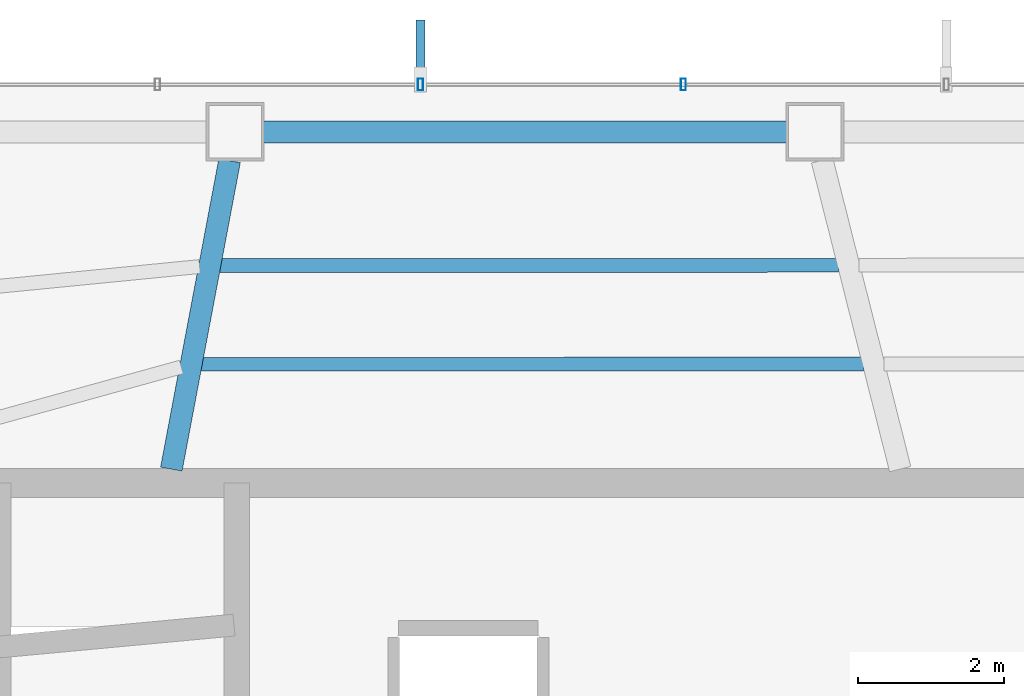
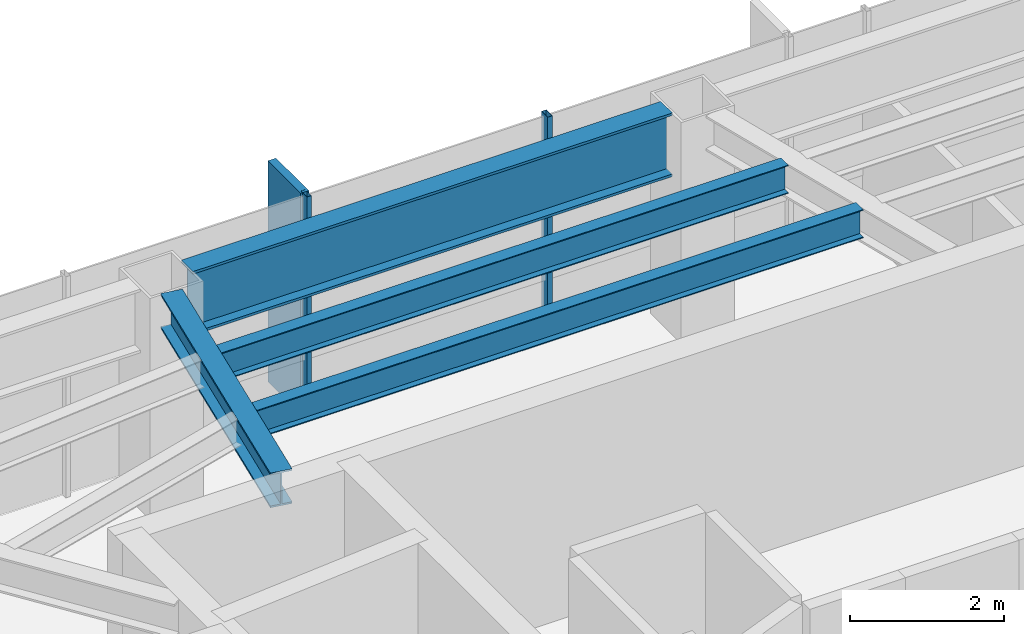
# One storey, part 13 of 28: 4 beams, 3 members, 1 element without a shape of its own.
"""IFC4 building model written with IfcOpenShell, lengths in metres."""

from ifc_helpers import new_model, si_unit, direction, frame, origin, origin_2d, place, context, subcontext, project, spatial, rectangle, hollow_rectangle, i_section, extrude, material, layer, layer_set, material_profile, profile_set, type_object, element, aggregate, save


model = new_model("IFC4")

# Units and contexts
model_context = context("Model", 3, precision=1e-05, world=origin(), true_north=direction((0.0, 1.0)))
body_context = subcontext(model_context, "Body", "Model", "MODEL_VIEW")
ifc_project = project(units=[si_unit("LENGTHUNIT", "METRE"), si_unit("AREAUNIT", "SQUARE_METRE"), si_unit("VOLUMEUNIT", "CUBIC_METRE"), si_unit("PLANEANGLEUNIT", "RADIAN"), si_unit("MASSUNIT", "GRAM", prefix="KILO")], contexts=[model_context])

# Site, building, storey
site_placement = place(None, origin())
site = spatial("IfcSite", under=ifc_project, at=site_placement, CompositionType="ELEMENT")
building_placement = place(site_placement, origin())
building = spatial("IfcBuilding", under=site, at=building_placement, Name="Zarrinselat Tower", CompositionType="ELEMENT")
storey_placement = place(building_placement, frame((0.0, 0.0, 157.080078125)))
storey = spatial("IfcBuildingStorey", under=building, at=storey_placement, Name="L38", CompositionType="ELEMENT", Elevation=157.080078125)

# Beams
ifc_material_1 = material(Name="Steel S355J2", Category="steel")
ifc_material_profile_1 = material_profile(ifc_material_1, i_section(OverallWidth=0.300048828125, OverallDepth=0.550048828125, WebThickness=0.014892578125, FlangeThickness=0.029052734375, at=origin_2d()), Name="HEB 550")
ifc_profile_set_1 = profile_set([ifc_material_profile_1], Name="Steel S355J2")
beam_type_1 = type_object("IfcBeamType", Name="BM-HEB550", PredefinedType="BEAM", material=ifc_profile_set_1)
beam_1_placement = place(storey_placement, frame((31.0, 43.639892578125, 3.224853515625), z_axis=(0.185606166559, 0.982624216542, 0.0), x_axis=(-0.982624216542, 0.185606166559, 0.0)))
element("IfcBeam", 1, at=beam_1_placement, inside=storey, type_object=beam_type_1, Name="L38 Radial Primary Girder RG04", PredefinedType="BEAM", context=body_context, shape_type="SweptSolid", body=[
    extrude(i_section(OverallWidth=0.300048828125, OverallDepth=0.550048828125, WebThickness=0.014892578125, FlangeThickness=0.029052734375, at=origin_2d()), origin(), (0.0, 0.0, 1.0), 4.306640625),
])
ifc_material_2 = material(Name="Steel S460M", Category="steel")
ifc_material_profile_2 = material_profile(ifc_material_2, i_section(OverallWidth=0.302001953125, OverallDepth=1.008056640625, WebThickness=0.02099609375, FlangeThickness=0.0400390625, at=origin_2d()), Name="HEM 1000")
ifc_profile_set_2 = profile_set([ifc_material_profile_2], Name="Steel S460M")
beam_type_2 = type_object("IfcBeamType", Name="BM-HEM1000", PredefinedType="BEAM", material=ifc_profile_set_2)
beam_2_placement = place(storey_placement, frame((32.261962890625, 48.2666015625, 2.995849609375), z_axis=(1.0, 0.0, 0.0), x_axis=(0.0, 1.0, 0.0)))
element("IfcBeam", 2, at=beam_2_placement, inside=storey, type_object=beam_type_2, Name="L38 Perimeter Spandrel Girder SP03", PredefinedType="BEAM", context=body_context, shape_type="SweptSolid", body=[
    extrude(i_section(OverallWidth=0.302001953125, OverallDepth=1.008056640625, WebThickness=0.02099609375, FlangeThickness=0.0400390625, at=origin_2d()), origin(), (0.0, 0.0, 1.0), 7.18017578125),
])
ifc_material_3 = material(Name="Steel S355J2", Category="steel")
ifc_material_profile_3 = material_profile(ifc_material_3, i_section(OverallWidth=0.18994140625, OverallDepth=0.449951171875, WebThickness=0.009521484375, FlangeThickness=0.0146484375, at=origin_2d()), Name="IPE 450")
ifc_profile_set_3 = profile_set([ifc_material_profile_3], Name="Steel S355J2")
beam_type_3 = type_object("IfcBeamType", Name="BM-IPE450", PredefinedType="JOIST", material=ifc_profile_set_3)
beam_3_placement = place(storey_placement, frame((31.66748046875, 46.43310546875, 3.27490234375), z_axis=(0.999999930048, 0.000374036111, 0.0), x_axis=(-0.000374036111, 0.999999930048, 0.0)))
element("IfcBeam", 3, at=beam_3_placement, inside=storey, type_object=beam_type_3, Name="L38 Composite Floor Joist 7-1", PredefinedType="JOIST", context=body_context, shape_type="SweptSolid", body=[
    extrude(i_section(OverallWidth=0.18994140625, OverallDepth=0.449951171875, WebThickness=0.009521484375, FlangeThickness=0.0146484375, at=origin_2d()), origin(), (0.0, 0.0, 1.0), 8.4853515625),
])
beam_4_placement = place(storey_placement, frame((31.411865234375, 45.078857421875, 3.27490234375), z_axis=(0.999999982302, 0.000188136638, 0.0), x_axis=(-0.000188136638, 0.999999982302, 0.0)))
element("IfcBeam", 4, at=beam_4_placement, inside=storey, type_object=beam_type_3, Name="L38 Composite Floor Joist 7-2", PredefinedType="JOIST", context=body_context, shape_type="SweptSolid", body=[
    extrude(i_section(OverallWidth=0.18994140625, OverallDepth=0.449951171875, WebThickness=0.009521484375, FlangeThickness=0.0146484375, at=origin_2d()), origin(), (0.0, 0.0, 1.0), 9.083740234375),
])

# Curtain wall, members
ifc_material_4 = material(Name="Extruded Aluminium Alloy EN AW-6063 T6", Category="aluminium")
ifc_layer = layer(ifc_material_4, 0.175048828125)
ifc_layer_set = layer_set([ifc_layer], Name="Extruded Aluminium Alloy EN AW-6063 T6")
curtain_wall_type = type_object("IfcCurtainWallType", Name="CWS-HTL", PredefinedType="NOTDEFINED", material=ifc_layer_set)
curtain_wall_placement = place(storey_placement, origin())
curtain_wall = element("IfcCurtainWall", 5, at=curtain_wall_placement, inside=storey, type_object=curtain_wall_type, Name="L38 Unitised Curtain Wall CW-L38-E03", PredefinedType="NOTDEFINED")
ifc_material_5 = material(Name="Extruded Aluminium Alloy EN AW-6063 T6", Category="aluminium")
ifc_material_profile_4 = material_profile(ifc_material_5, hollow_rectangle(XDim=0.070068359375, YDim=0.159912109375, WallThickness=0.00390625, at=origin_2d()), Name="RHS 160x70x4")
ifc_profile_set_4 = profile_set([ifc_material_profile_4], Name="Extruded Aluminium Alloy EN AW-6063 T6")
member_type_1 = type_object("IfcMemberType", Name="MEM-CW-MUL2", PredefinedType="MULLION", material=ifc_profile_set_4)
member_1_placement = place(storey_placement, frame((34.41845703125, 48.916748046875, 0.0), z_axis=(0.0, 0.0, 1.0), x_axis=(1.0, 0.0, 0.0)))
member_1 = element("IfcMember", 6, at=member_1_placement, type_object=member_type_1, Name="CW-L38-E03 Mullion 3", PredefinedType="MULLION", context=body_context, shape_type="SweptSolid", body=[
    extrude(hollow_rectangle(XDim=0.070068359375, YDim=0.159912109375, WallThickness=0.00390625, at=origin_2d()), origin(), (0.0, 0.0, 1.0), 3.5),
])
member_2_placement = place(storey_placement, frame((38.026123046875, 48.916748046875, 0.0), z_axis=(0.0, 0.0, 1.0), x_axis=(1.0, 0.0, 0.0)))
member_2 = element("IfcMember", 7, at=member_2_placement, type_object=member_type_1, Name="CW-L38-E03 Mullion 4", PredefinedType="MULLION", context=body_context, shape_type="SweptSolid", body=[
    extrude(hollow_rectangle(XDim=0.070068359375, YDim=0.159912109375, WallThickness=0.00390625, at=origin_2d()), origin(), (0.0, 0.0, 1.0), 3.5),
])
ifc_material_6 = material(Name="Honed Cream Travertine Stone", Category="masonry")
ifc_material_profile_5 = material_profile(ifc_material_6, rectangle(XDim=0.1201171875, YDim=0.85009765625, at=origin_2d()), Name="FIN 850x120")
ifc_profile_set_5 = profile_set([ifc_material_profile_5], Name="Honed Cream Travertine Stone")
member_type_2 = type_object("IfcMemberType", Name="MEM-STONE-FIN", PredefinedType="USERDEFINED", material=ifc_profile_set_5)
member_3_placement = place(storey_placement, frame((34.41845703125, 49.376708984375, 0.0), z_axis=(0.0, 0.0, 1.0), x_axis=(1.0, 0.0, 0.0)))
member_3 = element("IfcMember", 8, at=member_3_placement, type_object=member_type_2, Name="L38 Stone Shading Fin CW-L38-E03-03", ObjectType="FIN", PredefinedType="USERDEFINED", context=body_context, shape_type="SweptSolid", body=[
    extrude(rectangle(XDim=0.1201171875, YDim=0.85009765625, at=origin_2d()), origin(), (0.0, 0.0, 1.0), 3.5),
])
aggregate(curtain_wall, [member_1, member_3, member_2])

save(model, "model.ifc")
